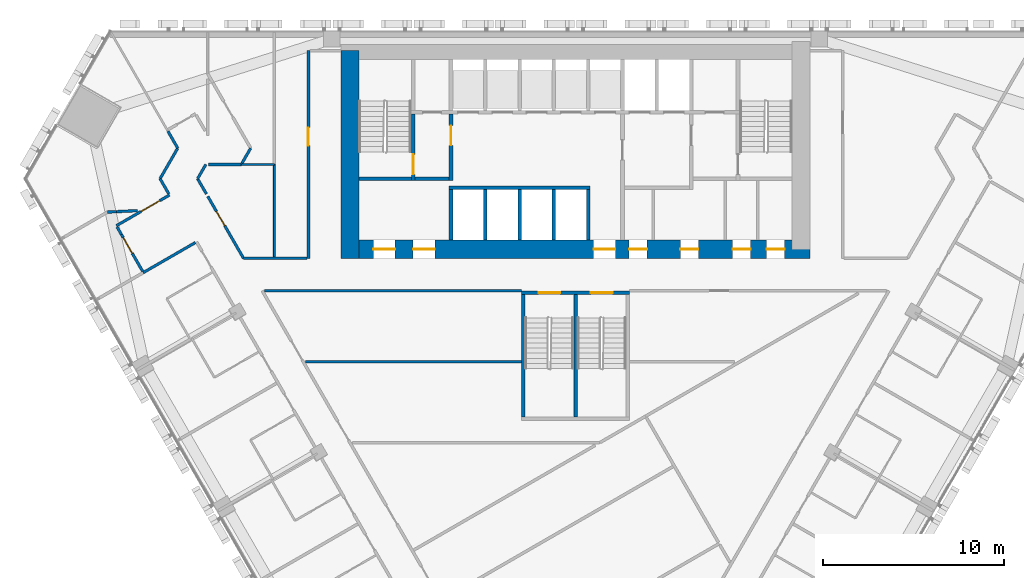
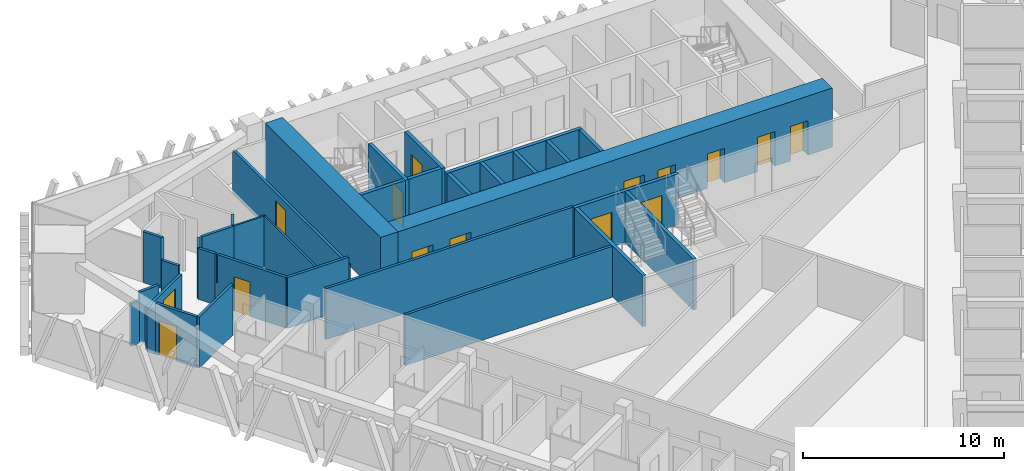
# One storey, part 11 of 17: 35 walls, 15 doors, 15 openings.
"""IFC4 building model written with IfcOpenShell, lengths in metres."""

from ifc_helpers import new_model, si_unit, direction, frame, frame_2d, origin, place, context, subcontext, project, spatial, rectangle, extrude, material, layer, layer_set, type_object, element, fill, save


model = new_model("IFC4")

# Units and contexts
model_context = context("Model", 3, precision=1e-05, world=origin(), true_north=direction((0.0, 1.0)))
body_context = subcontext(model_context, "Body", "Model", "MODEL_VIEW")
ifc_project = project(units=[si_unit("LENGTHUNIT", "METRE"), si_unit("AREAUNIT", "SQUARE_METRE"), si_unit("VOLUMEUNIT", "CUBIC_METRE"), si_unit("PLANEANGLEUNIT", "RADIAN"), si_unit("MASSUNIT", "GRAM", prefix="KILO")], contexts=[model_context])

# Site, building, storey
site_placement = place(None, origin())
site = spatial("IfcSite", under=ifc_project, at=site_placement, CompositionType="ELEMENT")
building_placement = place(site_placement, origin())
building = spatial("IfcBuilding", under=site, at=building_placement, Name="Altiplano Prism Tower", CompositionType="ELEMENT")
storey_placement = place(building_placement, frame((0.0, 0.0, 52.199951171875)))
storey = spatial("IfcBuildingStorey", under=building, at=storey_placement, Name="L12", CompositionType="ELEMENT", Elevation=52.199951171875)

# Wall, openings, doors
ifc_material_1 = material(Name="Concrete C70/85", Category="concrete")
ifc_layer_1 = layer(ifc_material_1, 1.0)
ifc_layer_set_1 = layer_set([ifc_layer_1], Name="Concrete C70/85")
wall_type_1 = type_object("IfcWallType", Name="Core wall 1000", PredefinedType="SHEAR", material=ifc_layer_set_1)
wall_1_placement = place(storey_placement, frame((72.5, 92.89990234375, 0.0), z_axis=(0.0, 0.0, 1.0), x_axis=(1.0, 0.0, 0.0)))
wall_1 = element("IfcWall", 1, at=wall_1_placement, inside=storey, type_object=wall_type_1, Name="Core wall S L12", PredefinedType="SHEAR", context=body_context, shape_type="SweptSolid", body=[
    extrude(rectangle(XDim=25.5, YDim=1.0, at=frame_2d((12.75, 0.0))), origin(), (0.0, 0.0, 1.0), 3.60009765625),
])
opening_1_placement = place(wall_1_placement, frame((1.300048828125, 0.0, 0.0)))
opening_1 = element("IfcOpeningElement", 2, at=opening_1_placement, cuts=wall_1, Name="Opening D2751", PredefinedType="OPENING", context=body_context, shape_type="SweptSolid", body=[
    extrude(rectangle(XDim=1.199951171875, YDim=2.10009765625, at=frame_2d((0.60009765625, 1.050048828125))), frame((0.0, 0.510498046875, 0.0), z_axis=(0.0, -1.0, 0.0), x_axis=(1.0, 0.0, 0.0)), (0.0, 0.0, 1.0), 1.02099609375),
])
opening_2_placement = place(wall_1_placement, frame((3.5, 0.0, 0.0)))
opening_2 = element("IfcOpeningElement", 3, at=opening_2_placement, cuts=wall_1, Name="Opening D2752", PredefinedType="OPENING", context=body_context, shape_type="SweptSolid", body=[
    extrude(rectangle(XDim=1.199951171875, YDim=2.10009765625, at=frame_2d((0.60009765625, 1.050048828125))), frame((0.0, 0.510498046875, 0.0), z_axis=(0.0, -1.0, 0.0), x_axis=(1.0, 0.0, 0.0)), (0.0, 0.0, 1.0), 1.02099609375),
])
opening_3_placement = place(wall_1_placement, frame((13.5, 0.0, 0.0)))
opening_3 = element("IfcOpeningElement", 4, at=opening_3_placement, cuts=wall_1, Name="Opening D2753", PredefinedType="OPENING", context=body_context, shape_type="SweptSolid", body=[
    extrude(rectangle(XDim=1.199951171875, YDim=2.10009765625, at=frame_2d((0.60009765625, 1.050048828125))), frame((0.0, 0.510498046875, 0.0), z_axis=(0.0, -1.0, 0.0), x_axis=(1.0, 0.0, 0.0)), (0.0, 0.0, 1.0), 1.02099609375),
])
opening_4_placement = place(wall_1_placement, frame((15.46240234375, 0.0, 0.0)))
opening_4 = element("IfcOpeningElement", 5, at=opening_4_placement, cuts=wall_1, Name="Opening D2756", PredefinedType="OPENING", context=body_context, shape_type="SweptSolid", body=[
    extrude(rectangle(XDim=1.0, YDim=2.10009765625, at=frame_2d((0.5, 1.050048828125))), frame((0.0, 0.510498046875, 0.0), z_axis=(0.0, -1.0, 0.0), x_axis=(1.0, 0.0, 0.0)), (0.0, 0.0, 1.0), 1.02099609375),
])
opening_5_placement = place(wall_1_placement, frame((18.300048828125, 0.0, 0.0)))
opening_5 = element("IfcOpeningElement", 6, at=opening_5_placement, cuts=wall_1, Name="Opening D2757", PredefinedType="OPENING", context=body_context, shape_type="SweptSolid", body=[
    extrude(rectangle(XDim=1.0, YDim=2.10009765625, at=frame_2d((0.5, 1.050048828125))), frame((0.0, 0.510498046875, 0.0), z_axis=(0.0, -1.0, 0.0), x_axis=(1.0, 0.0, 0.0)), (0.0, 0.0, 1.0), 1.02099609375),
])
opening_6_placement = place(wall_1_placement, frame((21.199951171875, 0.0, 0.0)))
opening_6 = element("IfcOpeningElement", 7, at=opening_6_placement, cuts=wall_1, Name="Opening D2758", PredefinedType="OPENING", context=body_context, shape_type="SweptSolid", body=[
    extrude(rectangle(XDim=1.0, YDim=2.10009765625, at=frame_2d((0.5, 1.050048828125))), frame((0.0, 0.510498046875, 0.0), z_axis=(0.0, -1.0, 0.0), x_axis=(1.0, 0.0, 0.0)), (0.0, 0.0, 1.0), 1.02099609375),
])
opening_7_placement = place(wall_1_placement, frame((23.08740234375, 0.0, 0.0)))
opening_7 = element("IfcOpeningElement", 8, at=opening_7_placement, cuts=wall_1, Name="Opening D2759", PredefinedType="OPENING", context=body_context, shape_type="SweptSolid", body=[
    extrude(rectangle(XDim=1.0, YDim=2.10009765625, at=frame_2d((0.5, 1.050048828125))), frame((0.0, 0.510498046875, 0.0), z_axis=(0.0, -1.0, 0.0), x_axis=(1.0, 0.0, 0.0)), (0.0, 0.0, 1.0), 1.02099609375),
])
ifc_material_2 = material(Name="Fire-rated steel door", Category="steel")
door_type_1 = type_object("IfcDoorType", Name="Core room door 1000 x 2100", OperationType="NOTDEFINED", PredefinedType="NOTDEFINED", material=ifc_material_2)
door_1_placement = place(opening_4_placement, origin())
door_1 = element("IfcDoor", 9, at=door_1_placement, inside=storey, type_object=door_type_1, Name="Core room door D2756", OperationType="SINGLE_SWING_RIGHT", OverallHeight=2.10009765625, OverallWidth=1.0, PredefinedType="NOTDEFINED", context=body_context, shape_type="SweptSolid", body=[
    extrude(rectangle(XDim=1.0, YDim=2.10009765625, at=frame_2d((0.5, 1.050048828125))), frame((0.0, 0.02490234375, 0.0), z_axis=(0.0, -1.0, 0.0), x_axis=(1.0, 0.0, 0.0)), (0.0, 0.0, 1.0), 0.050048828125),
])
fill(opening_4, door_1)
door_2_placement = place(opening_5_placement, origin())
door_2 = element("IfcDoor", 10, at=door_2_placement, inside=storey, type_object=door_type_1, Name="Core room door D2757", OperationType="SINGLE_SWING_LEFT", OverallHeight=2.10009765625, OverallWidth=1.0, PredefinedType="NOTDEFINED", context=body_context, shape_type="SweptSolid", body=[
    extrude(rectangle(XDim=1.0, YDim=2.10009765625, at=frame_2d((0.5, 1.050048828125))), frame((0.0, 0.02490234375, 0.0), z_axis=(0.0, -1.0, 0.0), x_axis=(1.0, 0.0, 0.0)), (0.0, 0.0, 1.0), 0.050048828125),
])
fill(opening_5, door_2)
door_3_placement = place(opening_6_placement, origin())
door_3 = element("IfcDoor", 11, at=door_3_placement, inside=storey, type_object=door_type_1, Name="Core room door D2758", OperationType="SINGLE_SWING_RIGHT", OverallHeight=2.10009765625, OverallWidth=1.0, PredefinedType="NOTDEFINED", context=body_context, shape_type="SweptSolid", body=[
    extrude(rectangle(XDim=1.0, YDim=2.10009765625, at=frame_2d((0.5, 1.050048828125))), frame((0.0, 0.02490234375, 0.0), z_axis=(0.0, -1.0, 0.0), x_axis=(1.0, 0.0, 0.0)), (0.0, 0.0, 1.0), 0.050048828125),
])
fill(opening_6, door_3)
door_4_placement = place(opening_7_placement, origin())
door_4 = element("IfcDoor", 12, at=door_4_placement, inside=storey, type_object=door_type_1, Name="Core room door D2759", OperationType="SINGLE_SWING_LEFT", OverallHeight=2.10009765625, OverallWidth=1.0, PredefinedType="NOTDEFINED", context=body_context, shape_type="SweptSolid", body=[
    extrude(rectangle(XDim=1.0, YDim=2.10009765625, at=frame_2d((0.5, 1.050048828125))), frame((0.0, 0.02490234375, 0.0), z_axis=(0.0, -1.0, 0.0), x_axis=(1.0, 0.0, 0.0)), (0.0, 0.0, 1.0), 0.050048828125),
])
fill(opening_7, door_4)
door_type_2 = type_object("IfcDoorType", Name="Lobby fire door 1200 x 2100", OperationType="NOTDEFINED", PredefinedType="NOTDEFINED", material=ifc_material_2)
door_5_placement = place(opening_1_placement, origin())
door_5 = element("IfcDoor", 13, at=door_5_placement, inside=storey, type_object=door_type_2, Name="Lobby fire door D2751", OperationType="SINGLE_SWING_RIGHT", OverallHeight=2.10009765625, OverallWidth=1.199951171875, PredefinedType="NOTDEFINED", context=body_context, shape_type="SweptSolid", body=[
    extrude(rectangle(XDim=1.199951171875, YDim=2.10009765625, at=frame_2d((0.60009765625, 1.050048828125))), frame((0.0, 0.02490234375, 0.0), z_axis=(0.0, -1.0, 0.0), x_axis=(1.0, 0.0, 0.0)), (0.0, 0.0, 1.0), 0.050048828125),
])
fill(opening_1, door_5)
door_6_placement = place(opening_2_placement, origin())
door_6 = element("IfcDoor", 14, at=door_6_placement, inside=storey, type_object=door_type_2, Name="Lobby fire door D2752", OperationType="SINGLE_SWING_LEFT", OverallHeight=2.10009765625, OverallWidth=1.199951171875, PredefinedType="NOTDEFINED", context=body_context, shape_type="SweptSolid", body=[
    extrude(rectangle(XDim=1.199951171875, YDim=2.10009765625, at=frame_2d((0.60009765625, 1.050048828125))), frame((0.0, 0.02490234375, 0.0), z_axis=(0.0, -1.0, 0.0), x_axis=(1.0, 0.0, 0.0)), (0.0, 0.0, 1.0), 0.050048828125),
])
fill(opening_2, door_6)
door_7_placement = place(opening_3_placement, origin())
door_7 = element("IfcDoor", 15, at=door_7_placement, inside=storey, type_object=door_type_2, Name="Lobby fire door D2753", OperationType="SINGLE_SWING_RIGHT", OverallHeight=2.10009765625, OverallWidth=1.199951171875, PredefinedType="NOTDEFINED", context=body_context, shape_type="SweptSolid", body=[
    extrude(rectangle(XDim=1.199951171875, YDim=2.10009765625, at=frame_2d((0.60009765625, 1.050048828125))), frame((0.0, 0.02490234375, 0.0), z_axis=(0.0, -1.0, 0.0), x_axis=(1.0, 0.0, 0.0)), (0.0, 0.0, 1.0), 0.050048828125),
])
fill(opening_3, door_7)

# Walls
wall_2_placement = place(storey_placement, frame((72.5, 103.89990234375, 0.0), z_axis=(0.0, 0.0, 1.0), x_axis=(0.0, -1.0, 0.0)))
element("IfcWall", 16, at=wall_2_placement, inside=storey, type_object=wall_type_1, Name="Core wall W L12", PredefinedType="SHEAR", context=body_context, shape_type="SweptSolid", body=[
    extrude(rectangle(XDim=11.5, YDim=1.0, at=frame_2d((5.75, 0.0))), origin(), (0.0, 0.0, 1.0), 3.60009765625),
])
ifc_material_3 = material(Name="Plasterboard on steel stud", Category="steel")
ifc_layer_2 = layer(ifc_material_3, 0.10009765625)
ifc_layer_set_2 = layer_set([ifc_layer_2], Name="Plasterboard on steel stud")
wall_type_2 = type_object("IfcWallType", Name="Partition 100 wet", PredefinedType="PARTITIONING", material=ifc_layer_set_2)
wall_3_placement = place(storey_placement, frame((68.3134765625, 92.47509765625, 0.0), z_axis=(0.0, 0.0, 1.0), x_axis=(0.0, 1.0, 0.0)))
element("IfcWall", 17, at=wall_3_placement, inside=storey, type_object=wall_type_2, Name="Partition P03 L12 047", PredefinedType="PARTITIONING", context=body_context, shape_type="SweptSolid", body=[
    extrude(rectangle(XDim=5.14111328125, YDim=0.10009765625, at=frame_2d((2.570556640625, 0.0))), origin(), (0.0, 0.0, 1.0), 3.10009765625),
])
wall_4_placement = place(storey_placement, frame((68.3134765625, 97.59619140625, 0.0), z_axis=(0.0, 0.0, 1.0), x_axis=(-1.0, 0.0, 0.0)))
element("IfcWall", 18, at=wall_4_placement, inside=storey, type_object=wall_type_2, Name="Partition P03 L12 048", PredefinedType="PARTITIONING", context=body_context, shape_type="SweptSolid", body=[
    extrude(rectangle(XDim=1.8330078125, YDim=0.10009765625, at=frame_2d((0.91650390625, 0.0))), origin(), (0.0, 0.0, 1.0), 3.10009765625),
])
ifc_layer_3 = layer(ifc_material_3, 0.14990234375)
ifc_layer_set_3 = layer_set([ifc_layer_3], Name="Plasterboard on steel stud")
wall_type_3 = type_object("IfcWallType", Name="Partition 150 corridor", PredefinedType="PARTITIONING", material=ifc_layer_set_3)
wall_5_placement = place(storey_placement, frame((64.554443359375, 95.959228515625, 0.0), z_axis=(0.0, 0.0, 1.0), x_axis=(-0.502910495829, 0.864338494564, 0.0)))
element("IfcWall", 19, at=wall_5_placement, inside=storey, type_object=wall_type_3, Name="Partition P06 L12 001", PredefinedType="PARTITIONING", context=body_context, shape_type="SweptSolid", body=[
    extrude(rectangle(XDim=0.980224609375, YDim=0.14990234375, at=frame_2d((0.490234375, 0.0))), origin(), (0.0, 0.0, 1.0), 3.10009765625),
])
wall_6_placement = place(storey_placement, frame((64.0615234375, 96.806396484375, 0.0), z_axis=(0.0, 0.0, 1.0), x_axis=(0.499853787483, 0.866109803165, 0.0)))
element("IfcWall", 20, at=wall_6_placement, inside=storey, type_object=wall_type_3, Name="Partition P06 L12 002", PredefinedType="PARTITIONING", context=body_context, shape_type="SweptSolid", body=[
    extrude(rectangle(XDim=0.911865234375, YDim=0.14990234375, at=frame_2d((0.4560546875, 0.0))), origin(), (0.0, 0.0, 1.0), 3.10009765625),
])
wall_7_placement = place(storey_placement, frame((64.6630859375, 97.59619140625, 0.0), z_axis=(0.0, 0.0, 1.0), x_axis=(1.0, 0.0, 0.0)))
element("IfcWall", 21, at=wall_7_placement, inside=storey, type_object=wall_type_3, Name="Partition P06 L12 003", PredefinedType="PARTITIONING", context=body_context, shape_type="SweptSolid", body=[
    extrude(rectangle(XDim=1.84033203125, YDim=0.14990234375, at=frame_2d((0.920166015625, 0.0))), origin(), (0.0, 0.0, 1.0), 3.10009765625),
])

# Wall, opening, door
wall_8_placement = place(storey_placement, frame((66.60546875, 92.39990234375, 0.0), z_axis=(0.0, 0.0, 1.0), x_axis=(-0.499793629879, 0.866144518849, 0.0)))
wall_8 = element("IfcWall", 22, at=wall_8_placement, inside=storey, type_object=wall_type_3, Name="Partition P06 L12 004", PredefinedType="PARTITIONING", context=body_context, shape_type="SweptSolid", body=[
    extrude(rectangle(XDim=3.959228515625, YDim=0.14990234375, at=frame_2d((1.9794921875, 0.0))), origin(), (0.0, 0.0, 1.0), 3.10009765625),
])
opening_8_placement = place(wall_8_placement, frame((2.093994140625, 0.0, 0.0)))
opening_8 = element("IfcOpeningElement", 23, at=opening_8_placement, cuts=wall_8, Name="Opening D0472", PredefinedType="OPENING", context=body_context, shape_type="SweptSolid", body=[
    extrude(rectangle(XDim=0.89990234375, YDim=2.10009765625, at=frame_2d((0.449951171875, 1.050048828125))), frame((0.0, 0.08544921875, 0.0), z_axis=(0.0, -1.0, 0.0), x_axis=(1.0, 0.0, 0.0)), (0.0, 0.0, 1.0), 0.1708984375),
])
ifc_material_4 = material(Name="Timber", Category="wood")
door_type_3 = type_object("IfcDoorType", Name="Toilet door 900 x 2100", OperationType="NOTDEFINED", PredefinedType="NOTDEFINED", material=ifc_material_4)
door_8_placement = place(opening_8_placement, origin())
door_8 = element("IfcDoor", 24, at=door_8_placement, inside=storey, type_object=door_type_3, Name="Door D0472", OperationType="SINGLE_SWING_RIGHT", OverallHeight=2.10009765625, OverallWidth=0.89990234375, PredefinedType="NOTDEFINED", context=body_context, shape_type="SweptSolid", body=[
    extrude(rectangle(XDim=0.89990234375, YDim=2.10009765625, at=frame_2d((0.449951171875, 1.050048828125))), frame((0.0, 0.02490234375, 0.0), z_axis=(0.0, -1.0, 0.0), x_axis=(1.0, 0.0, 0.0)), (0.0, 0.0, 1.0), 0.050048828125),
])
fill(opening_8, door_8)

wall_9_placement = place(storey_placement, frame((70.199951171875, 103.89990234375, 0.0), z_axis=(0.0, 0.0, 1.0), x_axis=(0.0, -1.0, 0.0)))
wall_9 = element("IfcWall", 25, at=wall_9_placement, inside=storey, type_object=wall_type_3, Name="Partition P06 L12 010", PredefinedType="PARTITIONING", context=body_context, shape_type="SweptSolid", body=[
    extrude(rectangle(XDim=11.5, YDim=0.14990234375, at=frame_2d((5.75, 0.0))), origin(), (0.0, 0.0, 1.0), 2.60009765625),
])
opening_9_placement = place(wall_9_placement, frame((4.258056640625, 0.0, 0.0)))
opening_9 = element("IfcOpeningElement", 26, at=opening_9_placement, cuts=wall_9, Name="Opening D0474", PredefinedType="OPENING", context=body_context, shape_type="SweptSolid", body=[
    extrude(rectangle(XDim=1.0, YDim=2.10009765625, at=frame_2d((0.5, 1.050048828125))), frame((0.0, 0.08544921875, 0.0), z_axis=(0.0, -1.0, 0.0), x_axis=(1.0, 0.0, 0.0)), (0.0, 0.0, 1.0), 0.1708984375),
])
door_type_4 = type_object("IfcDoorType", Name="Store door 1000 x 2100", OperationType="NOTDEFINED", PredefinedType="NOTDEFINED", material=ifc_material_4)
door_9_placement = place(opening_9_placement, origin())
door_9 = element("IfcDoor", 27, at=door_9_placement, inside=storey, type_object=door_type_4, Name="Door D0474", OperationType="SINGLE_SWING_RIGHT", OverallHeight=2.10009765625, OverallWidth=1.0, PredefinedType="NOTDEFINED", context=body_context, shape_type="SweptSolid", body=[
    extrude(rectangle(XDim=1.0, YDim=2.10009765625, at=frame_2d((0.5, 1.050048828125))), frame((0.0, 0.02490234375, 0.0), z_axis=(0.0, -1.0, 0.0), x_axis=(1.0, 0.0, 0.0)), (0.0, 0.0, 1.0), 0.050048828125),
])
fill(opening_9, door_9)

# Walls
wall_10_placement = place(storey_placement, frame((70.125, 92.39990234375, 0.0), z_axis=(0.0, 0.0, 1.0), x_axis=(-1.0, 0.0, 0.0)))
element("IfcWall", 28, at=wall_10_placement, inside=storey, type_object=wall_type_3, Name="Partition P06 L12 011", PredefinedType="PARTITIONING", context=body_context, shape_type="SweptSolid", body=[
    extrude(rectangle(XDim=3.51953125, YDim=0.14990234375, at=frame_2d((1.759765625, 0.0))), origin(), (0.0, 0.0, 1.0), 3.10009765625),
])
wall_11_placement = place(storey_placement, frame((66.518798828125, 97.66259765625, 0.0), z_axis=(0.0, 0.0, 1.0), x_axis=(0.499941024108, 0.866059450854, 0.0)))
element("IfcWall", 29, at=wall_11_placement, inside=storey, type_object=wall_type_3, Name="Partition P06 L12 012", PredefinedType="PARTITIONING", context=body_context, shape_type="SweptSolid", body=[
    extrude(rectangle(XDim=0.966796875, YDim=0.14990234375, at=frame_2d((0.4833984375, 0.0))), origin(), (0.0, 0.0, 1.0), 3.10009765625),
])
wall_12_placement = place(storey_placement, frame((62.4208984375, 99.43505859375, 0.0), z_axis=(0.0, 0.0, 1.0), x_axis=(0.499957341738, -0.866050031143, 0.0)))
element("IfcWall", 30, at=wall_12_placement, inside=storey, type_object=wall_type_3, Name="Partition P06 L12 015", PredefinedType="PARTITIONING", context=body_context, shape_type="SweptSolid", body=[
    extrude(rectangle(XDim=1.07958984375, YDim=0.14990234375, at=frame_2d((0.539794921875, 0.0))), origin(), (0.0, 0.0, 1.0), 3.10009765625),
])
wall_13_placement = place(storey_placement, frame((62.960693359375, 98.5, 0.0), z_axis=(0.0, 0.0, 1.0), x_axis=(-0.499992620187, -0.866029664479, 0.0)))
element("IfcWall", 31, at=wall_13_placement, inside=storey, type_object=wall_type_3, Name="Partition P06 L12 016", PredefinedType="PARTITIONING", context=body_context, shape_type="SweptSolid", body=[
    extrude(rectangle(XDim=1.95556640625, YDim=0.14990234375, at=frame_2d((0.977783203125, 0.0))), origin(), (0.0, 0.0, 1.0), 3.10009765625),
])
wall_14_placement = place(storey_placement, frame((61.98291015625, 96.806396484375, 0.0), z_axis=(0.0, 0.0, 1.0), x_axis=(0.499962526042, -0.866047038303, 0.0)))
element("IfcWall", 32, at=wall_14_placement, inside=storey, type_object=wall_type_3, Name="Partition P06 L12 017", PredefinedType="PARTITIONING", context=body_context, shape_type="SweptSolid", body=[
    extrude(rectangle(XDim=0.96826171875, YDim=0.14990234375, at=frame_2d((0.484130859375, 0.0))), origin(), (0.0, 0.0, 1.0), 3.10009765625),
])

# Wall, opening, door
wall_15_placement = place(storey_placement, frame((62.504638671875, 95.90283203125, 0.0), z_axis=(0.0, 0.0, 1.0), x_axis=(-0.866038511948, -0.499977295307, 0.0)))
wall_15 = element("IfcWall", 33, at=wall_15_placement, inside=storey, type_object=wall_type_3, Name="Partition P06 L12 018", PredefinedType="PARTITIONING", context=body_context, shape_type="SweptSolid", body=[
    extrude(rectangle(XDim=3.400146484375, YDim=0.14990234375, at=frame_2d((1.7001953125, 0.0))), origin(), (0.0, 0.0, 1.0), 2.60009765625),
])
opening_10_placement = place(wall_15_placement, frame((0.623046875, 0.0, 0.0)))
opening_10 = element("IfcOpeningElement", 34, at=opening_10_placement, cuts=wall_15, Name="Opening D0476", PredefinedType="OPENING", context=body_context, shape_type="SweptSolid", body=[
    extrude(rectangle(XDim=1.199951171875, YDim=2.10009765625, at=frame_2d((0.60009765625, 1.050048828125))), frame((0.0, 0.08544921875, 0.0), z_axis=(0.0, -1.0, 0.0), x_axis=(1.0, 0.0, 0.0)), (0.0, 0.0, 1.0), 0.1708984375),
])
door_type_5 = type_object("IfcDoorType", Name="Shared room door 1200 x 2100", OperationType="NOTDEFINED", PredefinedType="NOTDEFINED", material=ifc_material_4)
door_10_placement = place(opening_10_placement, origin())
door_10 = element("IfcDoor", 35, at=door_10_placement, inside=storey, type_object=door_type_5, Name="Door D0476", OperationType="SINGLE_SWING_RIGHT", OverallHeight=2.10009765625, OverallWidth=1.199951171875, PredefinedType="NOTDEFINED", context=body_context, shape_type="SweptSolid", body=[
    extrude(rectangle(XDim=1.199951171875, YDim=2.10009765625, at=frame_2d((0.60009765625, 1.050048828125))), frame((0.0, 0.02490234375, 0.0), z_axis=(0.0, -1.0, 0.0), x_axis=(1.0, 0.0, 0.0)), (0.0, 0.0, 1.0), 0.050048828125),
])
fill(opening_10, door_10)

# Wall
wall_16_placement = place(storey_placement, frame((59.59765625, 94.137939453125, 0.0), z_axis=(0.0, 0.0, 1.0), x_axis=(0.499852395195, -0.866110606688, 0.0)))
element("IfcWall", 36, at=wall_16_placement, inside=storey, type_object=wall_type_3, Name="Partition P06 L12 019", PredefinedType="PARTITIONING", context=body_context, shape_type="SweptSolid", body=[
    extrude(rectangle(XDim=0.488037109375, YDim=0.14990234375, at=frame_2d((0.244140625, 0.0))), origin(), (0.0, 0.0, 1.0), 2.60009765625),
])

# Wall, opening, door
wall_17_placement = place(storey_placement, frame((59.841552734375, 93.71533203125, 0.0), z_axis=(0.0, 0.0, 1.0), x_axis=(0.500003288626, -0.866023505087, 0.0)))
wall_17 = element("IfcWall", 37, at=wall_17_placement, inside=storey, type_object=wall_type_3, Name="Partition P06 L12 020", PredefinedType="PARTITIONING", context=body_context, shape_type="SweptSolid", body=[
    extrude(rectangle(XDim=2.35791015625, YDim=0.14990234375, at=frame_2d((1.178955078125, 0.0))), origin(), (0.0, 0.0, 1.0), 3.10009765625),
])
opening_11_placement = place(wall_17_placement, frame((0.199951171875, 0.0, 0.0)))
opening_11 = element("IfcOpeningElement", 38, at=opening_11_placement, cuts=wall_17, Name="Opening D0477", PredefinedType="OPENING", context=body_context, shape_type="SweptSolid", body=[
    extrude(rectangle(XDim=1.0, YDim=2.10009765625, at=frame_2d((0.5, 1.050048828125))), frame((0.0, 0.08544921875, 0.0), z_axis=(0.0, -1.0, 0.0), x_axis=(1.0, 0.0, 0.0)), (0.0, 0.0, 1.0), 0.1708984375),
])
door_type_6 = type_object("IfcDoorType", Name="Room door 1000 x 2100", OperationType="NOTDEFINED", PredefinedType="NOTDEFINED", material=ifc_material_4)
door_11_placement = place(opening_11_placement, origin())
door_11 = element("IfcDoor", 39, at=door_11_placement, inside=storey, type_object=door_type_6, Name="Door D0477", OperationType="SINGLE_SWING_RIGHT", OverallHeight=2.10009765625, OverallWidth=1.0, PredefinedType="NOTDEFINED", context=body_context, shape_type="SweptSolid", body=[
    extrude(rectangle(XDim=1.0, YDim=2.10009765625, at=frame_2d((0.5, 1.050048828125))), frame((0.0, 0.02490234375, 0.0), z_axis=(0.0, -1.0, 0.0), x_axis=(1.0, 0.0, 0.0)), (0.0, 0.0, 1.0), 0.050048828125),
])
fill(opening_11, door_11)

# Walls
wall_18_placement = place(storey_placement, frame((61.040771484375, 91.598388671875, 0.0), z_axis=(0.0, 0.0, 1.0), x_axis=(0.866033651025, 0.499985715088, 0.0)))
element("IfcWall", 40, at=wall_18_placement, inside=storey, type_object=wall_type_3, Name="Partition P06 L12 021", PredefinedType="PARTITIONING", context=body_context, shape_type="SweptSolid", body=[
    extrude(rectangle(XDim=3.3447265625, YDim=0.14990234375, at=frame_2d((1.67236328125, 0.0))), origin(), (0.0, 0.0, 1.0), 3.10009765625),
])
wall_19_placement = place(storey_placement, frame((67.774658203125, 90.60009765625, 0.0), z_axis=(0.0, 0.0, 1.0), x_axis=(0.999999997644, -6.8649493e-05, 0.0)))
element("IfcWall", 41, at=wall_19_placement, inside=storey, type_object=wall_type_3, Name="Partition P06 L12 045", PredefinedType="PARTITIONING", context=body_context, shape_type="SweptSolid", body=[
    extrude(rectangle(XDim=14.225341796875, YDim=0.14990234375, at=frame_2d((7.11279296875, 0.0))), origin(), (0.0, 0.0, 1.0), 3.10009765625),
])
ifc_layer_4 = layer(ifc_material_3, 0.14990234375)
ifc_layer_set_4 = layer_set([ifc_layer_4], Name="Plasterboard on steel stud")
wall_type_4 = type_object("IfcWallType", Name="Partition 150 party", PredefinedType="PARTITIONING", material=ifc_layer_set_4)
wall_20_placement = place(storey_placement, frame((59.066650390625, 94.957275390625, 0.0), z_axis=(0.0, 0.0, 1.0), x_axis=(0.998818750818, 0.048591182472, 0.0)))
element("IfcWall", 42, at=wall_20_placement, inside=storey, type_object=wall_type_4, Name="Partition P01 L12 053", PredefinedType="PARTITIONING", context=body_context, shape_type="SweptSolid", body=[
    extrude(rectangle(XDim=0.497314453125, YDim=0.14990234375, at=frame_2d((0.24853515625, 0.0))), origin(), (0.0, 0.0, 1.0), 2.60009765625),
])
wall_21_placement = place(storey_placement, frame((59.5634765625, 94.9814453125, 0.0), z_axis=(0.0, 0.0, 1.0), x_axis=(0.998819081856, 0.048584377323, 0.0)))
element("IfcWall", 43, at=wall_21_placement, inside=storey, type_object=wall_type_4, Name="Partition P01 L12 054", PredefinedType="PARTITIONING", context=body_context, shape_type="SweptSolid", body=[
    extrude(rectangle(XDim=1.160888671875, YDim=0.14990234375, at=frame_2d((0.58056640625, 0.0))), origin(), (0.0, 0.0, 1.0), 3.10009765625),
])
wall_22_placement = place(storey_placement, frame((82.0, 86.66015625, 0.0), z_axis=(0.0, 0.0, 1.0), x_axis=(-1.0, 0.0, 0.0)))
element("IfcWall", 44, at=wall_22_placement, inside=storey, type_object=wall_type_4, Name="Partition P01 L12 115", PredefinedType="PARTITIONING", context=body_context, shape_type="SweptSolid", body=[
    extrude(rectangle(XDim=11.950927734375, YDim=0.14990234375, at=frame_2d((5.9755859375, 0.0))), origin(), (0.0, 0.0, 1.0), 3.10009765625),
])
ifc_material_5 = material(Name="Concrete C60/75", Category="concrete")
ifc_layer_5 = layer(ifc_material_5, 0.199951171875)
ifc_layer_set_5 = layer_set([ifc_layer_5], Name="Concrete C60/75")
wall_type_5 = type_object("IfcWallType", Name="Shaft wall 200", PredefinedType="SOLIDWALL", material=ifc_layer_set_5)
for number, where, z_axis, x_axis, name in (
    (45, (78.10009765625, 93.39990234375, 0.0), (0.0, 0.0, 1.0), (0.0, 1.0, 0.0), "Shaft wall L12"),
    (46, (80.0, 93.39990234375, 0.0), (0.0, 0.0, 1.0), (0.0, 1.0, 0.0), "Shaft wall L12"),
    (47, (81.89990234375, 93.39990234375, 0.0), (0.0, 0.0, 1.0), (0.0, 1.0, 0.0), "Shaft wall L12"),
    (48, (83.800048828125, 93.39990234375, 0.0), (0.0, 0.0, 1.0), (0.0, 1.0, 0.0), "Shaft wall L12"),
    (49, (85.699951171875, 93.39990234375, 0.0), (0.0, 0.0, 1.0), (0.0, 1.0, 0.0), "Shaft wall L12"),
):
    element("IfcWall", number, at=place(storey_placement, frame(where, z_axis=z_axis, x_axis=x_axis)), inside=storey, type_object=wall_type_5, Name=name, PredefinedType="SOLIDWALL", context=body_context, shape_type="SweptSolid", body=[
        extrude(rectangle(XDim=2.800048828125, YDim=0.199951171875, at=frame_2d((1.39990234375, 0.0))), origin(), (0.0, 0.0, 1.0), 3.10009765625),
    ])
wall_23_placement = place(storey_placement, frame((78.0, 96.300048828125, 0.0), z_axis=(0.0, 0.0, 1.0), x_axis=(1.0, 0.0, 0.0)))
element("IfcWall", 50, at=wall_23_placement, inside=storey, type_object=wall_type_5, Name="Shaft wall L12", PredefinedType="SOLIDWALL", context=body_context, shape_type="SweptSolid", body=[
    extrude(rectangle(XDim=7.800048828125, YDim=0.199951171875, at=frame_2d((3.89990234375, 0.0))), origin(), (0.0, 0.0, 1.0), 3.10009765625),
])
ifc_layer_6 = layer(ifc_material_5, 0.199951171875)
ifc_layer_set_6 = layer_set([ifc_layer_6], Name="Concrete C60/75")
wall_type_6 = type_object("IfcWallType", Name="Stair wall 200", PredefinedType="SOLIDWALL", material=ifc_layer_set_6)
wall_24_placement = place(storey_placement, frame((73.0, 96.800048828125, 0.0), z_axis=(0.0, 0.0, 1.0), x_axis=(1.0, 0.0, 0.0)))
element("IfcWall", 51, at=wall_24_placement, inside=storey, type_object=wall_type_6, Name="Stair wall L12", PredefinedType="SOLIDWALL", context=body_context, shape_type="SweptSolid", body=[
    extrude(rectangle(XDim=2.89990234375, YDim=0.199951171875, at=frame_2d((1.449951171875, 0.0))), origin(), (0.0, 0.0, 1.0), 3.10009765625),
])

# Wall, opening, door
wall_25_placement = place(storey_placement, frame((76.0, 96.699951171875, 0.0), z_axis=(0.0, 0.0, 1.0), x_axis=(0.0, 1.0, 0.0)))
wall_25 = element("IfcWall", 52, at=wall_25_placement, inside=storey, type_object=wall_type_6, Name="Stair wall L12", PredefinedType="SOLIDWALL", context=body_context, shape_type="SweptSolid", body=[
    extrude(rectangle(XDim=3.699951171875, YDim=0.199951171875, at=frame_2d((1.85009765625, 0.0))), origin(), (0.0, 0.0, 1.0), 3.10009765625),
])
opening_12_placement = place(wall_25_placement, frame((0.35009765625, 0.0, 0.0)))
opening_12 = element("IfcOpeningElement", 53, at=opening_12_placement, cuts=wall_25, Name="Opening D2746", PredefinedType="OPENING", context=body_context, shape_type="SweptSolid", body=[
    extrude(rectangle(XDim=1.10009765625, YDim=2.10009765625, at=frame_2d((0.550048828125, 1.050048828125))), frame((0.0, 0.1103515625, 0.0), z_axis=(0.0, -1.0, 0.0), x_axis=(1.0, 0.0, 0.0)), (0.0, 0.0, 1.0), 0.220947265625),
])
door_type_7 = type_object("IfcDoorType", Name="Stair fire door 1100 x 2100", OperationType="NOTDEFINED", PredefinedType="NOTDEFINED", material=ifc_material_2)
door_12_placement = place(opening_12_placement, origin())
door_12 = element("IfcDoor", 54, at=door_12_placement, inside=storey, type_object=door_type_7, Name="Stair fire door D2746", OperationType="SINGLE_SWING_RIGHT", OverallHeight=2.10009765625, OverallWidth=1.10009765625, PredefinedType="NOTDEFINED", context=body_context, shape_type="SweptSolid", body=[
    extrude(rectangle(XDim=1.10009765625, YDim=2.10009765625, at=frame_2d((0.550048828125, 1.050048828125))), frame((0.0, 0.02490234375, 0.0), z_axis=(0.0, -1.0, 0.0), x_axis=(1.0, 0.0, 0.0)), (0.0, 0.0, 1.0), 0.050048828125),
])
fill(opening_12, door_12)

# Wall, openings, doors
wall_26_placement = place(storey_placement, frame((82.0, 90.5, 0.0), z_axis=(0.0, 0.0, 1.0), x_axis=(1.0, 0.0, 0.0)))
wall_26 = element("IfcWall", 55, at=wall_26_placement, inside=storey, type_object=wall_type_6, Name="Stair 3 wall north L12", PredefinedType="SOLIDWALL", context=body_context, shape_type="SweptSolid", body=[
    extrude(rectangle(XDim=6.0, YDim=0.199951171875, at=frame_2d((3.0, 0.0))), origin(), (0.0, 0.0, 1.0), 3.10009765625),
])
opening_13_placement = place(wall_26_placement, frame((0.949951171875, 0.0, 0.0)))
opening_13 = element("IfcOpeningElement", 56, at=opening_13_placement, cuts=wall_26, Name="Opening D3946", PredefinedType="OPENING", context=body_context, shape_type="SweptSolid", body=[
    extrude(rectangle(XDim=1.199951171875, YDim=2.10009765625, at=frame_2d((0.60009765625, 1.050048828125))), frame((0.0, 0.1103515625, 0.0), z_axis=(0.0, -1.0, 0.0), x_axis=(1.0, 0.0, 0.0)), (0.0, 0.0, 1.0), 0.220947265625),
])
opening_14_placement = place(wall_26_placement, frame((3.85009765625, 0.0, 0.0)))
opening_14 = element("IfcOpeningElement", 57, at=opening_14_placement, cuts=wall_26, Name="Opening D3947", PredefinedType="OPENING", context=body_context, shape_type="SweptSolid", body=[
    extrude(rectangle(XDim=1.199951171875, YDim=2.10009765625, at=frame_2d((0.60009765625, 1.050048828125))), frame((0.0, 0.1103515625, 0.0), z_axis=(0.0, -1.0, 0.0), x_axis=(1.0, 0.0, 0.0)), (0.0, 0.0, 1.0), 0.220947265625),
])
door_type_8 = type_object("IfcDoorType", Name="Stair fire door 1200 x 2100", OperationType="NOTDEFINED", PredefinedType="NOTDEFINED", material=ifc_material_2)
door_13_placement = place(opening_13_placement, origin())
door_13 = element("IfcDoor", 58, at=door_13_placement, inside=storey, type_object=door_type_8, Name="Stair fire door D3946", OperationType="SINGLE_SWING_LEFT", OverallHeight=2.10009765625, OverallWidth=1.199951171875, PredefinedType="NOTDEFINED", context=body_context, shape_type="SweptSolid", body=[
    extrude(rectangle(XDim=1.199951171875, YDim=2.10009765625, at=frame_2d((0.60009765625, 1.050048828125))), frame((0.0, 0.02490234375, 0.0), z_axis=(0.0, -1.0, 0.0), x_axis=(1.0, 0.0, 0.0)), (0.0, 0.0, 1.0), 0.050048828125),
])
fill(opening_13, door_13)
door_14_placement = place(opening_14_placement, origin())
door_14 = element("IfcDoor", 59, at=door_14_placement, inside=storey, type_object=door_type_8, Name="Stair fire door D3947", OperationType="SINGLE_SWING_LEFT", OverallHeight=2.10009765625, OverallWidth=1.199951171875, PredefinedType="NOTDEFINED", context=body_context, shape_type="SweptSolid", body=[
    extrude(rectangle(XDim=1.199951171875, YDim=2.10009765625, at=frame_2d((0.60009765625, 1.050048828125))), frame((0.0, 0.02490234375, 0.0), z_axis=(0.0, -1.0, 0.0), x_axis=(1.0, 0.0, 0.0)), (0.0, 0.0, 1.0), 0.050048828125),
])
fill(opening_14, door_14)

# Walls
for number, where, z_axis, x_axis, name in (
    (60, (82.10009765625, 83.60009765625, 0.0), (0.0, 0.0, 1.0), (0.0, 1.0, 0.0), "Stair 3 wall west L12"),
    (61, (85.0, 83.60009765625, 0.0), (0.0, 0.0, 1.0), (0.0, 1.0, 0.0), "Stair 3 wall divider L12"),
):
    element("IfcWall", number, at=place(storey_placement, frame(where, z_axis=z_axis, x_axis=x_axis)), inside=storey, type_object=wall_type_6, Name=name, PredefinedType="SOLIDWALL", context=body_context, shape_type="SweptSolid", body=[
        extrude(rectangle(XDim=6.7998046875, YDim=0.199951171875, at=frame_2d((3.39990234375, 0.0))), origin(), (0.0, 0.0, 1.0), 3.10009765625),
    ])
ifc_layer_7 = layer(ifc_material_5, 0.199951171875)
ifc_layer_set_7 = layer_set([ifc_layer_7], Name="Concrete C60/75")
wall_type_7 = type_object("IfcWallType", Name="Vestibule wall 200", PredefinedType="PARTITIONING", material=ifc_layer_set_7)
wall_27_placement = place(storey_placement, frame((76.10009765625, 96.800048828125, 0.0), z_axis=(0.0, 0.0, 1.0), x_axis=(1.0, 0.0, 0.0)))
element("IfcWall", 62, at=wall_27_placement, inside=storey, type_object=wall_type_7, Name="Vestibule wall L12", PredefinedType="PARTITIONING", context=body_context, shape_type="SweptSolid", body=[
    extrude(rectangle(XDim=1.89990234375, YDim=0.199951171875, at=frame_2d((0.949951171875, 0.0))), origin(), (0.0, 0.0, 1.0), 3.10009765625),
])

# Wall, opening, door
wall_28_placement = place(storey_placement, frame((78.10009765625, 96.699951171875, 0.0), z_axis=(0.0, 0.0, 1.0), x_axis=(0.0, 1.0, 0.0)))
wall_28 = element("IfcWall", 63, at=wall_28_placement, inside=storey, type_object=wall_type_7, Name="Vestibule wall L12", PredefinedType="PARTITIONING", context=body_context, shape_type="SweptSolid", body=[
    extrude(rectangle(XDim=3.699951171875, YDim=0.199951171875, at=frame_2d((1.85009765625, 0.0))), origin(), (0.0, 0.0, 1.0), 3.10009765625),
])
opening_15_placement = place(wall_28_placement, frame((1.949951171875, 0.0, 0.0)))
opening_15 = element("IfcOpeningElement", 64, at=opening_15_placement, cuts=wall_28, Name="Opening D2748", PredefinedType="OPENING", context=body_context, shape_type="SweptSolid", body=[
    extrude(rectangle(XDim=1.10009765625, YDim=2.10009765625, at=frame_2d((0.550048828125, 1.050048828125))), frame((0.0, 0.1103515625, 0.0), z_axis=(0.0, -1.0, 0.0), x_axis=(1.0, 0.0, 0.0)), (0.0, 0.0, 1.0), 0.220947265625),
])
door_type_9 = type_object("IfcDoorType", Name="Vestibule fire door 1100 x 2100", OperationType="NOTDEFINED", PredefinedType="NOTDEFINED", material=ifc_material_2)
door_15_placement = place(opening_15_placement, origin())
door_15 = element("IfcDoor", 65, at=door_15_placement, inside=storey, type_object=door_type_9, Name="Vestibule fire door D2748", OperationType="SINGLE_SWING_LEFT", OverallHeight=2.10009765625, OverallWidth=1.10009765625, PredefinedType="NOTDEFINED", context=body_context, shape_type="SweptSolid", body=[
    extrude(rectangle(XDim=1.10009765625, YDim=2.10009765625, at=frame_2d((0.550048828125, 1.050048828125))), frame((0.0, 0.02490234375, 0.0), z_axis=(0.0, -1.0, 0.0), x_axis=(1.0, 0.0, 0.0)), (0.0, 0.0, 1.0), 0.050048828125),
])
fill(opening_15, door_15)

save(model, "model.ifc")
